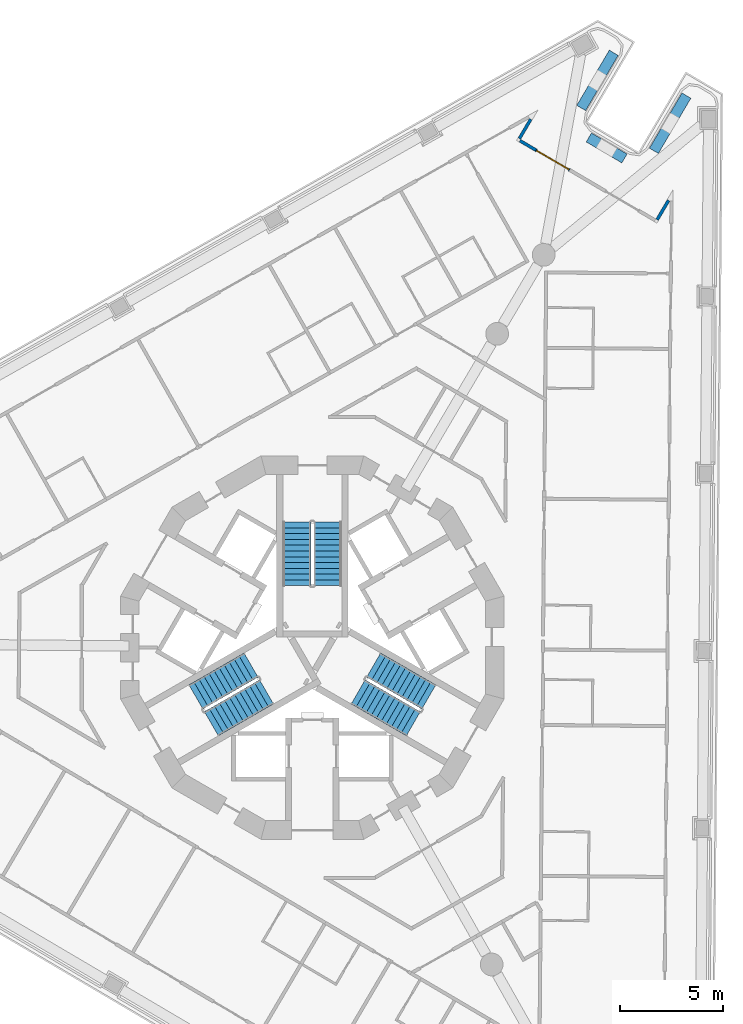
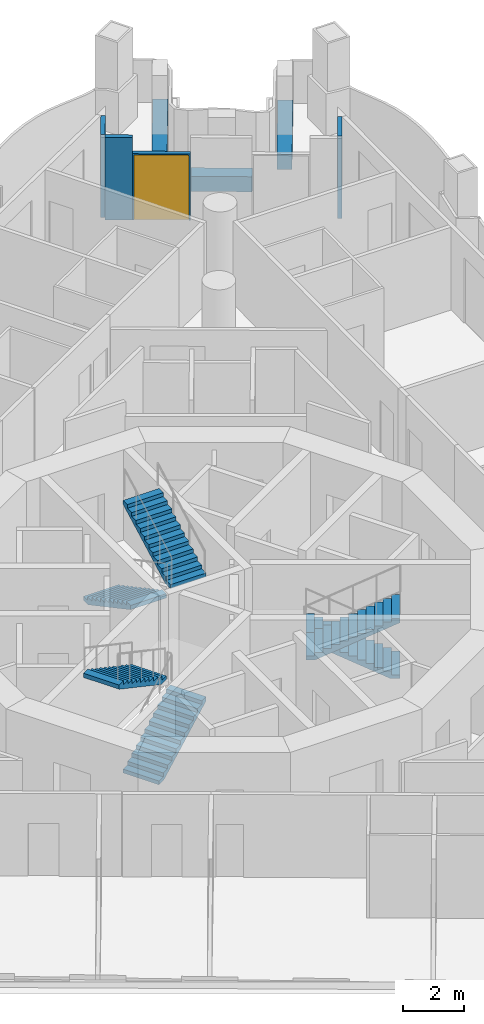
# One storey, part 10 of 17: 7 walls, 6 stair flights, 1 door, 1 opening, 3 elements without a shape of their own.
"""IFC4 building model written with IfcOpenShell, lengths in metres."""

from ifc_helpers import new_model, si_unit, direction, frame, frame_2d, origin, place, context, subcontext, project, spatial, polyline, rectangle, outline, extrude, material, layer, layer_set, type_object, element, fill, aggregate, save


model = new_model("IFC4")

# Units and contexts
model_context = context("Model", 3, precision=1e-05, world=origin(), true_north=direction((0.0, 1.0)))
body_context = subcontext(model_context, "Body", "Model", "MODEL_VIEW")
ifc_project = project(units=[si_unit("LENGTHUNIT", "METRE"), si_unit("AREAUNIT", "SQUARE_METRE"), si_unit("VOLUMEUNIT", "CUBIC_METRE"), si_unit("PLANEANGLEUNIT", "RADIAN"), si_unit("MASSUNIT", "GRAM", prefix="KILO")], contexts=[model_context])

# Site, building, storey
site_placement = place(None, origin())
site = spatial("IfcSite", under=ifc_project, at=site_placement, CompositionType="ELEMENT")
building_placement = place(site_placement, origin())
building = spatial("IfcBuilding", under=site, at=building_placement, Name="Trine Commons Tower", CompositionType="ELEMENT")
storey_placement = place(building_placement, frame((0.0, 0.0, 186.300048828125)))
storey = spatial("IfcBuildingStorey", under=building, at=storey_placement, Name="L48", CompositionType="ELEMENT", Elevation=186.300048828125)

# Walls
ifc_material_1 = material(Name="Aluminium-framed insulated wall panel", Category="aluminium")
ifc_layer_1 = layer(ifc_material_1, 0.14990234375)
ifc_layer_set_1 = layer_set([ifc_layer_1], Name="Aluminium-framed insulated wall panel")
wall_type_1 = type_object("IfcWallType", Name="Glazed frame wall 150, EI 60", PredefinedType="SOLIDWALL", material=ifc_layer_set_1)
wall_1_placement = place(storey_placement, frame((90.63720703125, 88.173583984375, 0.0), z_axis=(0.0, 0.0, 1.0), x_axis=(-0.507591242276, -0.861598009958, 0.0)))
element("IfcWall", 1, at=wall_1_placement, inside=storey, type_object=wall_type_1, Name="Glazed frame wall R5", PredefinedType="SOLIDWALL", context=body_context, shape_type="SweptSolid", body=[
    extrude(outline(polyline([(0.1494140625, 0.074951171875), (0.1494140625, -0.074951171875), (1.235107421875, -0.074951171875), (1.235107421875, 0.074951171875), (0.1494140625, 0.074951171875)])), origin(), (0.0, 0.0, 1.0), 3.300048828125),
])
wall_2_placement = place(storey_placement, frame((89.9423828125, 87.062744140625, 0.0), z_axis=(0.0, 0.0, 1.0), x_axis=(0.861601384654, -0.50758551394, 0.0)))
element("IfcWall", 2, at=wall_2_placement, inside=storey, type_object=wall_type_1, Name="Glazed frame wall P2.1", PredefinedType="SOLIDWALL", context=body_context, shape_type="SweptSolid", body=[
    extrude(outline(polyline([(0.110107421875, -0.074951171875), (1.0, -0.074951171875), (1.0, 0.074951171875), (0.110107421875, 0.074951171875), (0.110107421875, -0.074951171875)])), origin(), (0.0, 0.0, 1.0), 3.300048828125),
])

# Wall, opening, door
wall_3_placement = place(storey_placement, frame((90.803955078125, 86.55517578125, 0.0), z_axis=(0.0, 0.0, 1.0), x_axis=(0.861603693734, -0.50758159437, 0.0)))
wall_3 = element("IfcWall", 3, at=wall_3_placement, inside=storey, type_object=wall_type_1, Name="Glazed frame wall P2.2", PredefinedType="SOLIDWALL", context=body_context, shape_type="SweptSolid", body=[
    extrude(outline(polyline([(0.0, -0.074951171875), (1.89990234375, -0.074951171875), (1.89990234375, 0.074951171875), (0.0, 0.074951171875), (0.0, -0.074951171875)])), origin(), (0.0, 0.0, 1.0), 2.64990234375),
])
opening_placement = place(wall_3_placement, frame((0.050048828125, 0.0, 0.0)))
opening = element("IfcOpeningElement", 4, at=opening_placement, cuts=wall_3, Name="Opening BD-5P2-01", PredefinedType="OPENING", context=body_context, shape_type="SweptSolid", body=[
    extrude(rectangle(XDim=1.800048828125, YDim=2.60009765625, at=frame_2d((0.89990234375, 1.300048828125))), frame((0.0, 0.0849609375, 0.0), z_axis=(0.0, -1.0, 0.0), x_axis=(1.0, 0.0, 0.0)), (0.0, 0.0, 1.0), 0.169921875),
])
ifc_material_2 = material(Name="Anodised aluminium frame with double glazing", Category="aluminium")
door_type = type_object("IfcDoorType", Name="Sliding loggia door 1800x2600", OperationType="SLIDING_TO_LEFT", PredefinedType="DOOR", material=ifc_material_2)
door_placement = place(opening_placement, origin())
door = element("IfcDoor", 5, at=door_placement, inside=storey, type_object=door_type, Name="Loggia door P2 1", OperationType="SLIDING_TO_LEFT", OverallHeight=2.60009765625, OverallWidth=1.800048828125, PredefinedType="DOOR", context=body_context, shape_type="SweptSolid", body=[
    extrude(rectangle(XDim=1.800048828125, YDim=2.60009765625, at=frame_2d((0.89990234375, 1.300048828125))), frame((0.0, 0.02490234375, 0.0), z_axis=(0.0, -1.0, 0.0), x_axis=(1.0, 0.0, 0.0)), (0.0, 0.0, 1.0), 0.050048828125),
])
fill(opening, door)

# Walls
wall_4_placement = place(storey_placement, frame((96.614990234375, 83.091552734375, 0.0), z_axis=(0.0, 0.0, 1.0), x_axis=(0.507511857062, 0.86164477306, 0.0)))
element("IfcWall", 6, at=wall_4_placement, inside=storey, type_object=wall_type_1, Name="Glazed frame wall R7", PredefinedType="SOLIDWALL", context=body_context, shape_type="SweptSolid", body=[
    extrude(outline(polyline([(0.110107421875, 0.074951171875), (0.110107421875, -0.074951171875), (1.19580078125, -0.074951171875), (1.19580078125, 0.074951171875), (0.110107421875, 0.074951171875)])), origin(), (0.0, 0.0, 1.0), 3.300048828125),
])
ifc_material_3 = material(Name="Planter trough, precast concrete C40/50", Category="concrete")
ifc_layer_2 = layer(ifc_material_3, 0.5)
ifc_layer_set_2 = layer_set([ifc_layer_2], Name="Planter trough, precast concrete C40/50")
wall_type_2 = type_object("IfcWallType", Name="Planter trough 500x600", PredefinedType="PARAPET", material=ifc_layer_set_2)
wall_5_placement = place(storey_placement, frame((94.572509765625, 91.25830078125, 0.0), z_axis=(0.0, 0.0, 1.0), x_axis=(-0.507587916184, -0.861599969443, 0.0)))
element("IfcWall", 7, at=wall_5_placement, inside=storey, type_object=wall_type_2, Name="Planter 4", PredefinedType="PARAPET", context=body_context, shape_type="SweptSolid", body=[
    extrude(rectangle(XDim=3.099853515625, YDim=0.5, at=frame_2d((1.5498046875, 0.0))), origin(), (0.0, 0.0, 1.0), 0.599853515625),
])
wall_6_placement = place(storey_placement, frame((93.3671875, 87.163330078125, 0.0), z_axis=(0.0, 0.0, 1.0), x_axis=(0.861632831324, -0.507532130988, 0.0)))
element("IfcWall", 8, at=wall_6_placement, inside=storey, type_object=wall_type_2, Name="Planter 5", PredefinedType="PARAPET", context=body_context, shape_type="SweptSolid", body=[
    extrude(rectangle(XDim=2.000244140625, YDim=0.5, at=frame_2d((1.0, 0.0))), origin(), (0.0, 0.0, 1.0), 0.599853515625),
])
wall_7_placement = place(storey_placement, frame((96.514404296875, 86.5166015625, 0.0), z_axis=(0.0, 0.0, 1.0), x_axis=(0.507587916184, 0.861599969443, 0.0)))
element("IfcWall", 9, at=wall_7_placement, inside=storey, type_object=wall_type_2, Name="Planter 6", PredefinedType="PARAPET", context=body_context, shape_type="SweptSolid", body=[
    extrude(rectangle(XDim=3.099853515625, YDim=0.5, at=frame_2d((1.5498046875, 0.0))), origin(), (0.0, 0.0, 1.0), 0.599853515625),
])

# Stair, stair flights
ifc_material_4 = material(Name="Concrete C50/60", Category="concrete")
stair_type = type_object("IfcStairType", Name="Exit stair, dog-leg, 24 risers of 150 mm", PredefinedType="HALF_TURN_STAIR", material=ifc_material_4)
stair_1_placement = place(storey_placement, origin())
stair_1 = element("IfcStair", 10, at=stair_1_placement, inside=storey, type_object=stair_type, Name="L48 Exit stair ST1B", PredefinedType="HALF_TURN_STAIR")
stair_flight_type = type_object("IfcStairFlightType", Name="Stair flight, 1350 wide, 12 risers of 150 mm", PredefinedType="STRAIGHT", material=ifc_material_4)
stair_flight_1_placement = place(storey_placement, frame((79.25, 68.570556640625, 0.0), z_axis=(0.0, 0.0, 1.0), x_axis=(0.0, -1.0, 0.0)))
stair_flight_1 = element("IfcStairFlight", 11, at=stair_flight_1_placement, type_object=stair_flight_type, Name="ST1B flight 1", NumberOfRisers=12, NumberOfTreads=11, PredefinedType="STRAIGHT", RiserHeight=0.15, TreadLength=0.28, context=body_context, shape_type="SweptSolid", body=[
    extrude(outline(polyline([(0.0, 0.0), (0.0, 0.14990234375), (0.280029296875, 0.14990234375), (0.280029296875, 0.300048828125), (0.56005859375, 0.300048828125), (0.56005859375, 0.449951171875), (0.840087890625, 0.449951171875), (0.840087890625, 0.60009765625), (1.1201171875, 0.60009765625), (1.1201171875, 0.75), (1.39990234375, 0.75), (1.39990234375, 0.89990234375), (1.679931640625, 0.89990234375), (1.679931640625, 1.050048828125), (1.9599609375, 1.050048828125), (1.9599609375, 1.199951171875), (2.239990234375, 1.199951171875), (2.239990234375, 1.35009765625), (2.52001953125, 1.35009765625), (2.52001953125, 1.5), (2.800048828125, 1.5), (2.800048828125, 1.64990234375), (3.080078125, 1.64990234375), (3.080078125, 1.800048828125), (3.080078125, 1.47998046875), (0.3173828125, 0.0), (0.0, 0.0)])), frame((0.0, 0.675048828125, 0.0), z_axis=(0.0, -1.0, 0.0), x_axis=(1.0, 0.0, 0.0)), (0.0, 0.0, 1.0), 1.35009765625),
])
stair_flight_2_placement = place(storey_placement, frame((80.75, 65.490478515625, 1.800048828125), z_axis=(0.0, 0.0, 1.0), x_axis=(0.0, 1.0, 0.0)))
stair_flight_2 = element("IfcStairFlight", 12, at=stair_flight_2_placement, type_object=stair_flight_type, Name="ST1B flight 2", NumberOfRisers=12, NumberOfTreads=11, PredefinedType="STRAIGHT", RiserHeight=0.15, TreadLength=0.28, context=body_context, shape_type="SweptSolid", body=[
    extrude(outline(polyline([(0.0, 0.0), (0.0, 0.14990234375), (0.280029296875, 0.14990234375), (0.280029296875, 0.300048828125), (0.56005859375, 0.300048828125), (0.56005859375, 0.449951171875), (0.840087890625, 0.449951171875), (0.840087890625, 0.60009765625), (1.1201171875, 0.60009765625), (1.1201171875, 0.75), (1.39990234375, 0.75), (1.39990234375, 0.89990234375), (1.679931640625, 0.89990234375), (1.679931640625, 1.050048828125), (1.9599609375, 1.050048828125), (1.9599609375, 1.199951171875), (2.239990234375, 1.199951171875), (2.239990234375, 1.35009765625), (2.52001953125, 1.35009765625), (2.52001953125, 1.5), (2.800048828125, 1.5), (2.800048828125, 1.64990234375), (3.080078125, 1.64990234375), (3.080078125, 1.800048828125), (3.080078125, 1.47998046875), (0.3173828125, 0.0), (0.0, 0.0)])), frame((0.0, 0.675048828125, 0.0), z_axis=(0.0, -1.0, 0.0), x_axis=(1.0, 0.0, 0.0)), (0.0, 0.0, 1.0), 1.35009765625),
])
aggregate(stair_1, [stair_flight_1, stair_flight_2])

stair_2_placement = place(storey_placement, origin())
stair_2 = element("IfcStair", 13, at=stair_2_placement, inside=storey, type_object=stair_type, Name="L48 Exit stair ST2B", PredefinedType="HALF_TURN_STAIR")
stair_flight_3_placement = place(storey_placement, frame((75.11767578125, 58.815185546875, 0.0), z_axis=(0.0, 0.0, 1.0), x_axis=(0.866025403784, 0.5, 0.0)))
stair_flight_3 = element("IfcStairFlight", 14, at=stair_flight_3_placement, type_object=stair_flight_type, Name="ST2B flight 1", NumberOfRisers=12, NumberOfTreads=11, PredefinedType="STRAIGHT", RiserHeight=0.15, TreadLength=0.28, context=body_context, shape_type="SweptSolid", body=[
    extrude(outline(polyline([(0.0, 0.0), (0.0, 0.14990234375), (0.280029296875, 0.14990234375), (0.280029296875, 0.300048828125), (0.56005859375, 0.300048828125), (0.56005859375, 0.449951171875), (0.840087890625, 0.449951171875), (0.840087890625, 0.60009765625), (1.1201171875, 0.60009765625), (1.1201171875, 0.75), (1.39990234375, 0.75), (1.39990234375, 0.89990234375), (1.679931640625, 0.89990234375), (1.679931640625, 1.050048828125), (1.9599609375, 1.050048828125), (1.9599609375, 1.199951171875), (2.239990234375, 1.199951171875), (2.239990234375, 1.35009765625), (2.52001953125, 1.35009765625), (2.52001953125, 1.5), (2.800048828125, 1.5), (2.800048828125, 1.64990234375), (3.080078125, 1.64990234375), (3.080078125, 1.800048828125), (3.080078125, 1.47998046875), (0.3173828125, 0.0), (0.0, 0.0)])), frame((0.0, 0.675048828125, 0.0), z_axis=(0.0, -1.0, 0.0), x_axis=(1.0, 0.0, 0.0)), (0.0, 0.0, 1.0), 1.35009765625),
])
stair_flight_4_placement = place(storey_placement, frame((77.03515625, 61.654296875, 1.800048828125), z_axis=(0.0, 0.0, 1.0), x_axis=(-0.866025403784, -0.5, 0.0)))
stair_flight_4 = element("IfcStairFlight", 15, at=stair_flight_4_placement, type_object=stair_flight_type, Name="ST2B flight 2", NumberOfRisers=12, NumberOfTreads=11, PredefinedType="STRAIGHT", RiserHeight=0.15, TreadLength=0.28, context=body_context, shape_type="SweptSolid", body=[
    extrude(outline(polyline([(0.0, 0.0), (0.0, 0.14990234375), (0.280029296875, 0.14990234375), (0.280029296875, 0.300048828125), (0.56005859375, 0.300048828125), (0.56005859375, 0.449951171875), (0.840087890625, 0.449951171875), (0.840087890625, 0.60009765625), (1.1201171875, 0.60009765625), (1.1201171875, 0.75), (1.39990234375, 0.75), (1.39990234375, 0.89990234375), (1.679931640625, 0.89990234375), (1.679931640625, 1.050048828125), (1.9599609375, 1.050048828125), (1.9599609375, 1.199951171875), (2.239990234375, 1.199951171875), (2.239990234375, 1.35009765625), (2.52001953125, 1.35009765625), (2.52001953125, 1.5), (2.800048828125, 1.5), (2.800048828125, 1.64990234375), (3.080078125, 1.64990234375), (3.080078125, 1.800048828125), (3.080078125, 1.47998046875), (0.3173828125, 0.0), (0.0, 0.0)])), frame((0.0, 0.675048828125, 0.0), z_axis=(0.0, -1.0, 0.0), x_axis=(1.0, 0.0, 0.0)), (0.0, 0.0, 1.0), 1.35009765625),
])
aggregate(stair_2, [stair_flight_3, stair_flight_4])

stair_3_placement = place(storey_placement, origin())
stair_3 = element("IfcStair", 16, at=stair_3_placement, inside=storey, type_object=stair_type, Name="L48 Exit stair ST3B", PredefinedType="HALF_TURN_STAIR")
stair_flight_5_placement = place(storey_placement, frame((85.63232421875, 60.1142578125, 0.0), z_axis=(0.0, 0.0, 1.0), x_axis=(-0.866025403784, 0.5, 0.0)))
stair_flight_5 = element("IfcStairFlight", 17, at=stair_flight_5_placement, type_object=stair_flight_type, Name="ST3B flight 1", NumberOfRisers=12, NumberOfTreads=11, PredefinedType="STRAIGHT", RiserHeight=0.15, TreadLength=0.28, context=body_context, shape_type="SweptSolid", body=[
    extrude(outline(polyline([(0.0, 0.0), (0.0, 0.14990234375), (0.280029296875, 0.14990234375), (0.280029296875, 0.300048828125), (0.56005859375, 0.300048828125), (0.56005859375, 0.449951171875), (0.840087890625, 0.449951171875), (0.840087890625, 0.60009765625), (1.1201171875, 0.60009765625), (1.1201171875, 0.75), (1.39990234375, 0.75), (1.39990234375, 0.89990234375), (1.679931640625, 0.89990234375), (1.679931640625, 1.050048828125), (1.9599609375, 1.050048828125), (1.9599609375, 1.199951171875), (2.239990234375, 1.199951171875), (2.239990234375, 1.35009765625), (2.52001953125, 1.35009765625), (2.52001953125, 1.5), (2.800048828125, 1.5), (2.800048828125, 1.64990234375), (3.080078125, 1.64990234375), (3.080078125, 1.800048828125), (3.080078125, 1.47998046875), (0.3173828125, 0.0), (0.0, 0.0)])), frame((0.0, 0.675048828125, 0.0), z_axis=(0.0, -1.0, 0.0), x_axis=(1.0, 0.0, 0.0)), (0.0, 0.0, 1.0), 1.35009765625),
])
stair_flight_6_placement = place(storey_placement, frame((82.21484375, 60.355224609375, 1.800048828125), z_axis=(0.0, 0.0, 1.0), x_axis=(0.866025403784, -0.5, 0.0)))
stair_flight_6 = element("IfcStairFlight", 18, at=stair_flight_6_placement, type_object=stair_flight_type, Name="ST3B flight 2", NumberOfRisers=12, NumberOfTreads=11, PredefinedType="STRAIGHT", RiserHeight=0.15, TreadLength=0.28, context=body_context, shape_type="SweptSolid", body=[
    extrude(outline(polyline([(0.0, 0.0), (0.0, 0.14990234375), (0.280029296875, 0.14990234375), (0.280029296875, 0.300048828125), (0.56005859375, 0.300048828125), (0.56005859375, 0.449951171875), (0.840087890625, 0.449951171875), (0.840087890625, 0.60009765625), (1.1201171875, 0.60009765625), (1.1201171875, 0.75), (1.39990234375, 0.75), (1.39990234375, 0.89990234375), (1.679931640625, 0.89990234375), (1.679931640625, 1.050048828125), (1.9599609375, 1.050048828125), (1.9599609375, 1.199951171875), (2.239990234375, 1.199951171875), (2.239990234375, 1.35009765625), (2.52001953125, 1.35009765625), (2.52001953125, 1.5), (2.800048828125, 1.5), (2.800048828125, 1.64990234375), (3.080078125, 1.64990234375), (3.080078125, 1.800048828125), (3.080078125, 1.47998046875), (0.3173828125, 0.0), (0.0, 0.0)])), frame((0.0, 0.675048828125, 0.0), z_axis=(0.0, -1.0, 0.0), x_axis=(1.0, 0.0, 0.0)), (0.0, 0.0, 1.0), 1.35009765625),
])
aggregate(stair_3, [stair_flight_5, stair_flight_6])

save(model, "model.ifc")
